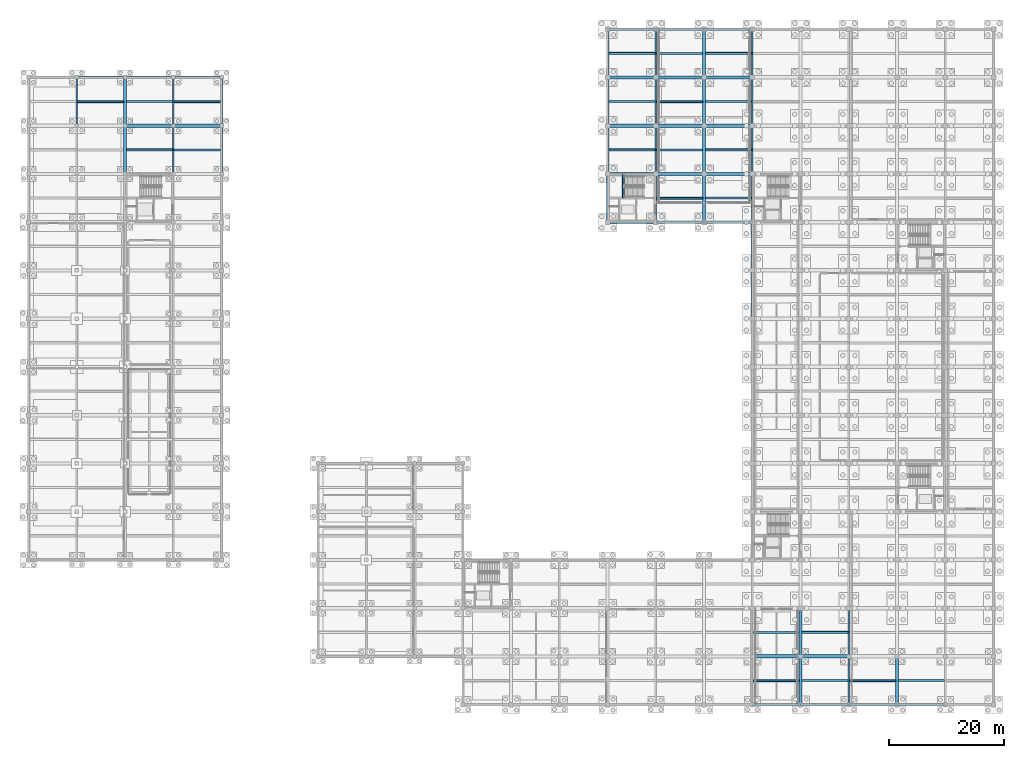
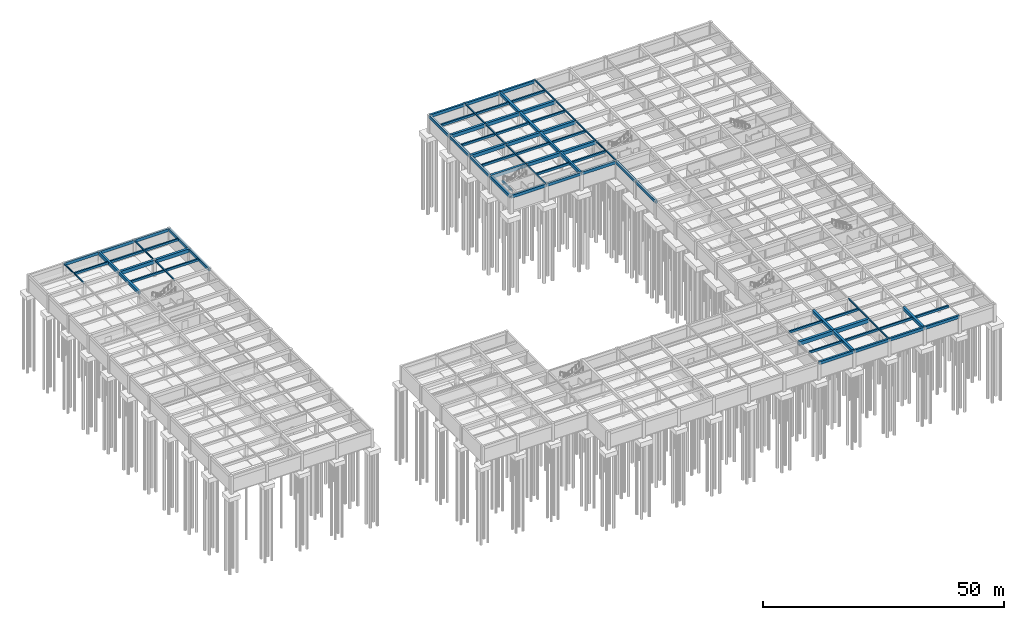
# One storey, part 11 of 33: 79 beams.
"""IFC4 building model written with IfcOpenShell, lengths in metres."""

from ifc_helpers import new_model, si_unit, direction, frame, origin, origin_2d, place, context, subcontext, project, spatial, rectangle, i_section, extrude, material, material_profile, profile_set, type_object, element, save


model = new_model("IFC4")

# Units and contexts
model_context = context("Model", 3, precision=1e-05, world=origin(), true_north=direction((0.0, 1.0)))
body_context = subcontext(model_context, "Body", "Model", "MODEL_VIEW")
ifc_project = project(units=[si_unit("LENGTHUNIT", "METRE"), si_unit("AREAUNIT", "SQUARE_METRE"), si_unit("VOLUMEUNIT", "CUBIC_METRE"), si_unit("PLANEANGLEUNIT", "RADIAN"), si_unit("MASSUNIT", "GRAM", prefix="KILO")], contexts=[model_context])

# Site, building, storey
site_placement = place(None, origin())
site = spatial("IfcSite", under=ifc_project, at=site_placement, CompositionType="ELEMENT")
building_placement = place(site_placement, origin())
building = spatial("IfcBuilding", under=site, at=building_placement, Name="Kveldsbrygga Polytechnic", CompositionType="ELEMENT")
storey_placement = place(building_placement, frame((0.0, 0.0, -4.419921875)))
storey = spatial("IfcBuildingStorey", under=building, at=storey_placement, Name="B1", CompositionType="ELEMENT", Elevation=-4.419921875)

# Beams
ifc_material_1 = material(Name="Concrete C35/45", Category="concrete")
ifc_material_profile_1 = material_profile(ifc_material_1, rectangle(XDim=0.449951171875, YDim=0.75, at=origin_2d()), Name="RC 450x750")
ifc_profile_set_1 = profile_set([ifc_material_profile_1], Name="Concrete C35/45")
beam_type_1 = type_object("IfcBeamType", Name="BM-RC-450x750", PredefinedType="BEAM", material=ifc_profile_set_1)
beam_1_placement = place(storey_placement, frame((8.39990234375, 109.199951171875, 3.704833984375), z_axis=(1.0, 0.0, 0.0), x_axis=(0.0, 1.0, 0.0)))
element("IfcBeam", 1, at=beam_1_placement, inside=storey, type_object=beam_type_1, Name="Primary Beam BMX-B1-01to02-13", PredefinedType="BEAM", context=body_context, shape_type="SweptSolid", body=[
    extrude(rectangle(XDim=0.449951171875, YDim=0.75, at=origin_2d()), origin(), (0.0, 0.0, 1.0), 8.400146484375),
])
beam_2_placement = place(storey_placement, frame((16.800048828125, 109.199951171875, 3.704833984375), z_axis=(1.0, 0.0, 0.0), x_axis=(0.0, 1.0, 0.0)))
element("IfcBeam", 2, at=beam_2_placement, inside=storey, type_object=beam_type_1, Name="Primary Beam BMX-B1-02to03-13", PredefinedType="BEAM", context=body_context, shape_type="SweptSolid", body=[
    extrude(rectangle(XDim=0.449951171875, YDim=0.75, at=origin_2d()), origin(), (0.0, 0.0, 1.0), 8.39990234375),
])
for number, where, z_axis, x_axis, name in (
    (3, (25.199951171875, 109.199951171875, 3.704833984375), (1.0, 0.0, 0.0), (0.0, 1.0, 0.0), "Primary Beam BMX-B1-03to04-13"),
    (4, (33.60009765625, 92.39990234375, 3.704833984375), (0.0, 1.0, 0.0), (-1.0, 0.0, 0.0), "Primary Beam BMY-B1-04-11to12"),
):
    element("IfcBeam", number, at=place(storey_placement, frame(where, z_axis=z_axis, x_axis=x_axis)), inside=storey, type_object=beam_type_1, Name=name, PredefinedType="BEAM", context=body_context, shape_type="SweptSolid", body=[
        extrude(rectangle(XDim=0.449951171875, YDim=0.75, at=origin_2d()), origin(), (0.0, 0.0, 1.0), 8.400146484375),
    ])
for number, where, z_axis, x_axis, name in (
    (5, (33.60009765625, 100.800048828125, 3.704833984375), (0.0, 1.0, 0.0), (-1.0, 0.0, 0.0), "Primary Beam BMY-B1-04-12to13"),
    (6, (100.800048828125, 84.0, 3.724853515625), (0.0, 1.0, 0.0), (-1.0, 0.0, 0.0), "Primary Beam BMY-B1-12-10to11"),
):
    element("IfcBeam", number, at=place(storey_placement, frame(where, z_axis=z_axis, x_axis=x_axis)), inside=storey, type_object=beam_type_1, Name=name, PredefinedType="BEAM", context=body_context, shape_type="SweptSolid", body=[
        extrude(rectangle(XDim=0.449951171875, YDim=0.75, at=origin_2d()), origin(), (0.0, 0.0, 1.0), 8.39990234375),
    ])
beam_3_placement = place(storey_placement, frame((100.800048828125, 92.39990234375, 3.724853515625), z_axis=(0.0, 1.0, 0.0), x_axis=(-1.0, 0.0, 0.0)))
element("IfcBeam", 7, at=beam_3_placement, inside=storey, type_object=beam_type_1, Name="Primary Beam BMY-B1-12-11to12", PredefinedType="BEAM", context=body_context, shape_type="SweptSolid", body=[
    extrude(rectangle(XDim=0.449951171875, YDim=0.75, at=origin_2d()), origin(), (0.0, 0.0, 1.0), 8.400146484375),
])
beam_4_placement = place(storey_placement, frame((100.800048828125, 100.800048828125, 3.724853515625), z_axis=(0.0, 1.0, 0.0), x_axis=(-1.0, 0.0, 0.0)))
element("IfcBeam", 8, at=beam_4_placement, inside=storey, type_object=beam_type_1, Name="Primary Beam BMY-B1-12-12to13", PredefinedType="BEAM", context=body_context, shape_type="SweptSolid", body=[
    extrude(rectangle(XDim=0.449951171875, YDim=0.75, at=origin_2d()), origin(), (0.0, 0.0, 1.0), 8.39990234375),
])
for number, where, z_axis, x_axis, name in (
    (9, (100.800048828125, 109.199951171875, 3.724853515625), (0.0, 1.0, 0.0), (-1.0, 0.0, 0.0), "Primary Beam BMY-B1-12-13to14"),
    (10, (126.0, 67.199951171875, 3.724853515625), (0.0, 1.0, 0.0), (-1.0, 0.0, 0.0), "Primary Beam BMY-B1-15-08to09"),
):
    element("IfcBeam", number, at=place(storey_placement, frame(where, z_axis=z_axis, x_axis=x_axis)), inside=storey, type_object=beam_type_1, Name=name, PredefinedType="BEAM", context=body_context, shape_type="SweptSolid", body=[
        extrude(rectangle(XDim=0.449951171875, YDim=0.75, at=origin_2d()), origin(), (0.0, 0.0, 1.0), 8.400146484375),
    ])
beam_5_placement = place(storey_placement, frame((126.0, 75.60009765625, 3.724853515625), z_axis=(0.0, 1.0, 0.0), x_axis=(-1.0, 0.0, 0.0)))
element("IfcBeam", 11, at=beam_5_placement, inside=storey, type_object=beam_type_1, Name="Primary Beam BMY-B1-15-09to10", PredefinedType="BEAM", context=body_context, shape_type="SweptSolid", body=[
    extrude(rectangle(XDim=0.449951171875, YDim=0.75, at=origin_2d()), origin(), (0.0, 0.0, 1.0), 8.39990234375),
])
ifc_material_profile_2 = material_profile(ifc_material_1, rectangle(XDim=0.4599609375, YDim=0.739990234375, at=origin_2d()), Name="RC 460x740")
ifc_profile_set_2 = profile_set([ifc_material_profile_2], Name="Concrete C35/45")
beam_type_2 = type_object("IfcBeamType", Name="BM-RC-460x740", PredefinedType="BEAM", material=ifc_profile_set_2)
beam_6_placement = place(storey_placement, frame((126.0, 0.0, 3.75), z_axis=(1.0, 0.0, 0.0), x_axis=(0.0, 1.0, 0.0)))
element("IfcBeam", 12, at=beam_6_placement, inside=storey, type_object=beam_type_2, Name="Primary Beam BMX-B1-15to16-00", PredefinedType="BEAM", context=body_context, shape_type="SweptSolid", body=[
    extrude(rectangle(XDim=0.4599609375, YDim=0.739990234375, at=origin_2d()), origin(), (0.0, 0.0, 1.0), 8.39990234375),
])
beam_7_placement = place(storey_placement, frame((134.39990234375, 0.0, 3.75), z_axis=(1.0, 0.0, 0.0), x_axis=(0.0, 1.0, 0.0)))
element("IfcBeam", 13, at=beam_7_placement, inside=storey, type_object=beam_type_2, Name="Primary Beam BMX-B1-16to17-00", PredefinedType="BEAM", context=body_context, shape_type="SweptSolid", body=[
    extrude(rectangle(XDim=0.4599609375, YDim=0.739990234375, at=origin_2d()), origin(), (0.0, 0.0, 1.0), 8.400146484375),
])
beam_8_placement = place(storey_placement, frame((142.800048828125, 0.0, 3.75), z_axis=(1.0, 0.0, 0.0), x_axis=(0.0, 1.0, 0.0)))
element("IfcBeam", 14, at=beam_8_placement, inside=storey, type_object=beam_type_2, Name="Primary Beam BMX-B1-17to18-00", PredefinedType="BEAM", context=body_context, shape_type="SweptSolid", body=[
    extrude(rectangle(XDim=0.4599609375, YDim=0.739990234375, at=origin_2d()), origin(), (0.0, 0.0, 1.0), 8.39990234375),
])
beam_9_placement = place(storey_placement, frame((151.199951171875, 0.0, 3.75), z_axis=(1.0, 0.0, 0.0), x_axis=(0.0, 1.0, 0.0)))
element("IfcBeam", 15, at=beam_9_placement, inside=storey, type_object=beam_type_2, Name="Primary Beam BMX-B1-18to19-00", PredefinedType="BEAM", context=body_context, shape_type="SweptSolid", body=[
    extrude(rectangle(XDim=0.4599609375, YDim=0.739990234375, at=origin_2d()), origin(), (0.0, 0.0, 1.0), 8.400146484375),
])
beam_10_placement = place(storey_placement, frame((100.800048828125, 84.0, 3.72998046875), z_axis=(1.0, 0.0, 0.0), x_axis=(0.0, 1.0, 0.0)))
element("IfcBeam", 16, at=beam_10_placement, inside=storey, type_object=beam_type_2, Name="Primary Beam BMX-B1-12to13-10", PredefinedType="BEAM", context=body_context, shape_type="SweptSolid", body=[
    extrude(rectangle(XDim=0.4599609375, YDim=0.739990234375, at=origin_2d()), origin(), (0.0, 0.0, 1.0), 8.39990234375),
])
beam_11_placement = place(storey_placement, frame((109.199951171875, 84.0, 3.72998046875), z_axis=(1.0, 0.0, 0.0), x_axis=(0.0, 1.0, 0.0)))
element("IfcBeam", 17, at=beam_11_placement, inside=storey, type_object=beam_type_2, Name="Primary Beam BMX-B1-13to14-10", PredefinedType="BEAM", context=body_context, shape_type="SweptSolid", body=[
    extrude(rectangle(XDim=0.4599609375, YDim=0.739990234375, at=origin_2d()), origin(), (0.0, 0.0, 1.0), 8.400146484375),
])
for number, where, z_axis, x_axis, name in (
    (18, (117.60009765625, 84.0, 3.72998046875), (1.0, 0.0, 0.0), (0.0, 1.0, 0.0), "Primary Beam BMX-B1-14to15-10"),
    (19, (100.800048828125, 117.60009765625, 3.75), (1.0, 0.0, 0.0), (0.0, 1.0, 0.0), "Primary Beam BMX-B1-12to13-14"),
):
    element("IfcBeam", number, at=place(storey_placement, frame(where, z_axis=z_axis, x_axis=x_axis)), inside=storey, type_object=beam_type_2, Name=name, PredefinedType="BEAM", context=body_context, shape_type="SweptSolid", body=[
        extrude(rectangle(XDim=0.4599609375, YDim=0.739990234375, at=origin_2d()), origin(), (0.0, 0.0, 1.0), 8.39990234375),
    ])
beam_12_placement = place(storey_placement, frame((109.199951171875, 117.60009765625, 3.75), z_axis=(1.0, 0.0, 0.0), x_axis=(0.0, 1.0, 0.0)))
element("IfcBeam", 20, at=beam_12_placement, inside=storey, type_object=beam_type_2, Name="Primary Beam BMX-B1-13to14-14", PredefinedType="BEAM", context=body_context, shape_type="SweptSolid", body=[
    extrude(rectangle(XDim=0.4599609375, YDim=0.739990234375, at=origin_2d()), origin(), (0.0, 0.0, 1.0), 8.400146484375),
])
beam_13_placement = place(storey_placement, frame((117.60009765625, 117.60009765625, 3.75), z_axis=(1.0, 0.0, 0.0), x_axis=(0.0, 1.0, 0.0)))
element("IfcBeam", 21, at=beam_13_placement, inside=storey, type_object=beam_type_2, Name="Primary Beam BMX-B1-14to15-14", PredefinedType="BEAM", context=body_context, shape_type="SweptSolid", body=[
    extrude(rectangle(XDim=0.4599609375, YDim=0.739990234375, at=origin_2d()), origin(), (0.0, 0.0, 1.0), 8.39990234375),
])
ifc_material_profile_3 = material_profile(ifc_material_1, rectangle(XDim=0.5, YDim=0.800048828125, at=origin_2d()), Name="RC 500x800")
ifc_profile_set_3 = profile_set([ifc_material_profile_3], Name="Concrete C35/45")
beam_type_3 = type_object("IfcBeamType", Name="BM-RC-500x800", PredefinedType="BEAM", material=ifc_profile_set_3)
beam_14_placement = place(storey_placement, frame((16.800048828125, 92.39990234375, 3.679931640625), z_axis=(0.0, 1.0, 0.0), x_axis=(-1.0, 0.0, 0.0)))
element("IfcBeam", 22, at=beam_14_placement, inside=storey, type_object=beam_type_3, Name="Primary Beam BMY-B1-02-11to12", PredefinedType="BEAM", context=body_context, shape_type="SweptSolid", body=[
    extrude(rectangle(XDim=0.5, YDim=0.800048828125, at=origin_2d()), origin(), (0.0, 0.0, 1.0), 8.400146484375),
])
for number, where, z_axis, x_axis, name in (
    (23, (16.800048828125, 100.800048828125, 3.679931640625), (0.0, 1.0, 0.0), (-1.0, 0.0, 0.0), "Primary Beam BMY-B1-02-12to13"),
    (24, (117.60009765625, 84.0, 3.719970703125), (0.0, 1.0, 0.0), (-1.0, 0.0, 0.0), "Primary Beam BMY-B1-14-10to11"),
):
    element("IfcBeam", number, at=place(storey_placement, frame(where, z_axis=z_axis, x_axis=x_axis)), inside=storey, type_object=beam_type_3, Name=name, PredefinedType="BEAM", context=body_context, shape_type="SweptSolid", body=[
        extrude(rectangle(XDim=0.5, YDim=0.800048828125, at=origin_2d()), origin(), (0.0, 0.0, 1.0), 8.39990234375),
    ])
beam_15_placement = place(storey_placement, frame((117.60009765625, 92.39990234375, 3.719970703125), z_axis=(0.0, 1.0, 0.0), x_axis=(-1.0, 0.0, 0.0)))
element("IfcBeam", 25, at=beam_15_placement, inside=storey, type_object=beam_type_3, Name="Primary Beam BMY-B1-14-11to12", PredefinedType="BEAM", context=body_context, shape_type="SweptSolid", body=[
    extrude(rectangle(XDim=0.5, YDim=0.800048828125, at=origin_2d()), origin(), (0.0, 0.0, 1.0), 8.400146484375),
])
beam_16_placement = place(storey_placement, frame((117.60009765625, 100.800048828125, 3.719970703125), z_axis=(0.0, 1.0, 0.0), x_axis=(-1.0, 0.0, 0.0)))
element("IfcBeam", 26, at=beam_16_placement, inside=storey, type_object=beam_type_3, Name="Primary Beam BMY-B1-14-12to13", PredefinedType="BEAM", context=body_context, shape_type="SweptSolid", body=[
    extrude(rectangle(XDim=0.5, YDim=0.800048828125, at=origin_2d()), origin(), (0.0, 0.0, 1.0), 8.39990234375),
])
beam_17_placement = place(storey_placement, frame((117.60009765625, 109.199951171875, 3.719970703125), z_axis=(0.0, 1.0, 0.0), x_axis=(-1.0, 0.0, 0.0)))
element("IfcBeam", 27, at=beam_17_placement, inside=storey, type_object=beam_type_3, Name="Primary Beam BMY-B1-14-13to14", PredefinedType="BEAM", context=body_context, shape_type="SweptSolid", body=[
    extrude(rectangle(XDim=0.5, YDim=0.800048828125, at=origin_2d()), origin(), (0.0, 0.0, 1.0), 8.400146484375),
])
beam_18_placement = place(storey_placement, frame((134.39990234375, 0.0, 3.719970703125), z_axis=(0.0, 1.0, 0.0), x_axis=(-1.0, 0.0, 0.0)))
element("IfcBeam", 28, at=beam_18_placement, inside=storey, type_object=beam_type_3, Name="Primary Beam BMY-B1-16-00to01", PredefinedType="BEAM", context=body_context, shape_type="SweptSolid", body=[
    extrude(rectangle(XDim=0.5, YDim=0.800048828125, at=origin_2d()), origin(), (0.0, 0.0, 1.0), 8.39990234375),
])
beam_19_placement = place(storey_placement, frame((134.39990234375, 8.39990234375, 3.719970703125), z_axis=(0.0, 1.0, 0.0), x_axis=(-1.0, 0.0, 0.0)))
element("IfcBeam", 29, at=beam_19_placement, inside=storey, type_object=beam_type_3, Name="Primary Beam BMY-B1-16-01to02", PredefinedType="BEAM", context=body_context, shape_type="SweptSolid", body=[
    extrude(rectangle(XDim=0.5, YDim=0.800048828125, at=origin_2d()), origin(), (0.0, 0.0, 1.0), 8.400146484375),
])
beam_20_placement = place(storey_placement, frame((151.199951171875, 0.0, 3.719970703125), z_axis=(0.0, 1.0, 0.0), x_axis=(-1.0, 0.0, 0.0)))
element("IfcBeam", 30, at=beam_20_placement, inside=storey, type_object=beam_type_3, Name="Primary Beam BMY-B1-18-00to01", PredefinedType="BEAM", context=body_context, shape_type="SweptSolid", body=[
    extrude(rectangle(XDim=0.5, YDim=0.800048828125, at=origin_2d()), origin(), (0.0, 0.0, 1.0), 8.39990234375),
])
ifc_material_2 = material(Name="Concrete C45/55", Category="concrete")
ifc_material_profile_4 = material_profile(ifc_material_2, rectangle(XDim=0.550048828125, YDim=0.8798828125, at=origin_2d()), Name="RC 550x880")
ifc_profile_set_4 = profile_set([ifc_material_profile_4], Name="Concrete C45/55")
beam_type_4 = type_object("IfcBeamType", Name="BM-RC-550x880", PredefinedType="BEAM", material=ifc_profile_set_4)
beam_21_placement = place(storey_placement, frame((100.800048828125, 92.39990234375, 3.679931640625), z_axis=(1.0, 0.0, 0.0), x_axis=(0.0, 1.0, 0.0)))
element("IfcBeam", 31, at=beam_21_placement, inside=storey, type_object=beam_type_4, Name="Primary Beam BMX-B1-12to13-11", PredefinedType="BEAM", context=body_context, shape_type="SweptSolid", body=[
    extrude(rectangle(XDim=0.550048828125, YDim=0.8798828125, at=origin_2d()), origin(), (0.0, 0.0, 1.0), 8.39990234375),
])
beam_22_placement = place(storey_placement, frame((109.199951171875, 92.39990234375, 3.679931640625), z_axis=(1.0, 0.0, 0.0), x_axis=(0.0, 1.0, 0.0)))
element("IfcBeam", 32, at=beam_22_placement, inside=storey, type_object=beam_type_4, Name="Primary Beam BMX-B1-13to14-11", PredefinedType="BEAM", context=body_context, shape_type="SweptSolid", body=[
    extrude(rectangle(XDim=0.550048828125, YDim=0.8798828125, at=origin_2d()), origin(), (0.0, 0.0, 1.0), 8.400146484375),
])
for number, where, z_axis, x_axis, name in (
    (33, (117.60009765625, 92.39990234375, 3.679931640625), (1.0, 0.0, 0.0), (0.0, 1.0, 0.0), "Primary Beam BMX-B1-14to15-11"),
    (34, (16.800048828125, 100.800048828125, 3.639892578125), (1.0, 0.0, 0.0), (0.0, 1.0, 0.0), "Primary Beam BMX-B1-02to03-12"),
):
    element("IfcBeam", number, at=place(storey_placement, frame(where, z_axis=z_axis, x_axis=x_axis)), inside=storey, type_object=beam_type_4, Name=name, PredefinedType="BEAM", context=body_context, shape_type="SweptSolid", body=[
        extrude(rectangle(XDim=0.550048828125, YDim=0.8798828125, at=origin_2d()), origin(), (0.0, 0.0, 1.0), 8.39990234375),
    ])
beam_23_placement = place(storey_placement, frame((25.199951171875, 100.800048828125, 3.639892578125), z_axis=(1.0, 0.0, 0.0), x_axis=(0.0, 1.0, 0.0)))
element("IfcBeam", 35, at=beam_23_placement, inside=storey, type_object=beam_type_4, Name="Primary Beam BMX-B1-03to04-12", PredefinedType="BEAM", context=body_context, shape_type="SweptSolid", body=[
    extrude(rectangle(XDim=0.550048828125, YDim=0.8798828125, at=origin_2d()), origin(), (0.0, 0.0, 1.0), 8.400146484375),
])
beam_24_placement = place(storey_placement, frame((100.800048828125, 100.800048828125, 3.679931640625), z_axis=(1.0, 0.0, 0.0), x_axis=(0.0, 1.0, 0.0)))
element("IfcBeam", 36, at=beam_24_placement, inside=storey, type_object=beam_type_4, Name="Primary Beam BMX-B1-12to13-12", PredefinedType="BEAM", context=body_context, shape_type="SweptSolid", body=[
    extrude(rectangle(XDim=0.550048828125, YDim=0.8798828125, at=origin_2d()), origin(), (0.0, 0.0, 1.0), 8.39990234375),
])
beam_25_placement = place(storey_placement, frame((109.199951171875, 100.800048828125, 3.679931640625), z_axis=(1.0, 0.0, 0.0), x_axis=(0.0, 1.0, 0.0)))
element("IfcBeam", 37, at=beam_25_placement, inside=storey, type_object=beam_type_4, Name="Primary Beam BMX-B1-13to14-12", PredefinedType="BEAM", context=body_context, shape_type="SweptSolid", body=[
    extrude(rectangle(XDim=0.550048828125, YDim=0.8798828125, at=origin_2d()), origin(), (0.0, 0.0, 1.0), 8.400146484375),
])
for number, where, z_axis, x_axis, name in (
    (38, (117.60009765625, 100.800048828125, 3.679931640625), (1.0, 0.0, 0.0), (0.0, 1.0, 0.0), "Primary Beam BMX-B1-14to15-12"),
    (39, (100.800048828125, 109.199951171875, 3.679931640625), (1.0, 0.0, 0.0), (0.0, 1.0, 0.0), "Primary Beam BMX-B1-12to13-13"),
):
    element("IfcBeam", number, at=place(storey_placement, frame(where, z_axis=z_axis, x_axis=x_axis)), inside=storey, type_object=beam_type_4, Name=name, PredefinedType="BEAM", context=body_context, shape_type="SweptSolid", body=[
        extrude(rectangle(XDim=0.550048828125, YDim=0.8798828125, at=origin_2d()), origin(), (0.0, 0.0, 1.0), 8.39990234375),
    ])
beam_26_placement = place(storey_placement, frame((109.199951171875, 109.199951171875, 3.679931640625), z_axis=(1.0, 0.0, 0.0), x_axis=(0.0, 1.0, 0.0)))
element("IfcBeam", 40, at=beam_26_placement, inside=storey, type_object=beam_type_4, Name="Primary Beam BMX-B1-13to14-13", PredefinedType="BEAM", context=body_context, shape_type="SweptSolid", body=[
    extrude(rectangle(XDim=0.550048828125, YDim=0.8798828125, at=origin_2d()), origin(), (0.0, 0.0, 1.0), 8.400146484375),
])
beam_27_placement = place(storey_placement, frame((117.60009765625, 109.199951171875, 3.679931640625), z_axis=(1.0, 0.0, 0.0), x_axis=(0.0, 1.0, 0.0)))
element("IfcBeam", 41, at=beam_27_placement, inside=storey, type_object=beam_type_4, Name="Primary Beam BMX-B1-14to15-13", PredefinedType="BEAM", context=body_context, shape_type="SweptSolid", body=[
    extrude(rectangle(XDim=0.550048828125, YDim=0.8798828125, at=origin_2d()), origin(), (0.0, 0.0, 1.0), 8.39990234375),
])
ifc_material_profile_5 = material_profile(ifc_material_2, rectangle(XDim=0.60009765625, YDim=0.949951171875, at=origin_2d()), Name="RC 600x950")
ifc_profile_set_5 = profile_set([ifc_material_profile_5], Name="Concrete C45/55")
beam_type_5 = type_object("IfcBeamType", Name="BM-RC-600x950", PredefinedType="BEAM", material=ifc_profile_set_5)
beam_28_placement = place(storey_placement, frame((126.0, 8.39990234375, 3.64501953125), z_axis=(1.0, 0.0, 0.0), x_axis=(0.0, 1.0, 0.0)))
element("IfcBeam", 42, at=beam_28_placement, inside=storey, type_object=beam_type_5, Name="Primary Beam BMX-B1-15to16-01", PredefinedType="BEAM", context=body_context, shape_type="SweptSolid", body=[
    extrude(rectangle(XDim=0.60009765625, YDim=0.949951171875, at=origin_2d()), origin(), (0.0, 0.0, 1.0), 8.39990234375),
])
beam_29_placement = place(storey_placement, frame((134.39990234375, 8.39990234375, 3.64501953125), z_axis=(1.0, 0.0, 0.0), x_axis=(0.0, 1.0, 0.0)))
element("IfcBeam", 43, at=beam_29_placement, inside=storey, type_object=beam_type_5, Name="Primary Beam BMX-B1-16to17-01", PredefinedType="BEAM", context=body_context, shape_type="SweptSolid", body=[
    extrude(rectangle(XDim=0.60009765625, YDim=0.949951171875, at=origin_2d()), origin(), (0.0, 0.0, 1.0), 8.400146484375),
])
ifc_material_3 = material(Name="Steel S355", Category="steel")
ifc_material_profile_6 = material_profile(ifc_material_3, i_section(OverallWidth=0.260009765625, OverallDepth=0.260009765625, WebThickness=0.010009765625, FlangeThickness=0.017578125, FilletRadius=0.02392578125, at=origin_2d()), Name="HEB 260")
ifc_profile_set_6 = profile_set([ifc_material_profile_6], Name="Steel S355")
beam_type_6 = type_object("IfcBeamType", Name="BM-STL-HEB260", PredefinedType="BEAM", material=ifc_profile_set_6)
beam_30_placement = place(storey_placement, frame((8.39990234375, 100.800048828125, 3.949951171875), z_axis=(0.0, 1.0, 0.0), x_axis=(-1.0, 0.0, 0.0)))
element("IfcBeam", 44, at=beam_30_placement, inside=storey, type_object=beam_type_6, Name="Primary Beam BMY-B1-01-12to13", PredefinedType="BEAM", context=body_context, shape_type="SweptSolid", body=[
    extrude(i_section(OverallWidth=0.260009765625, OverallDepth=0.260009765625, WebThickness=0.010009765625, FlangeThickness=0.017578125, FilletRadius=0.02392578125, at=origin_2d()), origin(), (0.0, 0.0, 1.0), 8.39990234375),
])
beam_31_placement = place(storey_placement, frame((25.199951171875, 92.39990234375, 3.949951171875), z_axis=(0.0, 1.0, 0.0), x_axis=(-1.0, 0.0, 0.0)))
element("IfcBeam", 45, at=beam_31_placement, inside=storey, type_object=beam_type_6, Name="Primary Beam BMY-B1-03-11to12", PredefinedType="BEAM", context=body_context, shape_type="SweptSolid", body=[
    extrude(i_section(OverallWidth=0.260009765625, OverallDepth=0.260009765625, WebThickness=0.010009765625, FlangeThickness=0.017578125, FilletRadius=0.02392578125, at=origin_2d()), origin(), (0.0, 0.0, 1.0), 8.400146484375),
])
for number, where, z_axis, x_axis, name in (
    (46, (25.199951171875, 100.800048828125, 3.949951171875), (0.0, 1.0, 0.0), (-1.0, 0.0, 0.0), "Primary Beam BMY-B1-03-12to13"),
    (47, (109.199951171875, 84.0, 3.989990234375), (0.0, 1.0, 0.0), (-1.0, 0.0, 0.0), "Primary Beam BMY-B1-13-10to11"),
):
    element("IfcBeam", number, at=place(storey_placement, frame(where, z_axis=z_axis, x_axis=x_axis)), inside=storey, type_object=beam_type_6, Name=name, PredefinedType="BEAM", context=body_context, shape_type="SweptSolid", body=[
        extrude(i_section(OverallWidth=0.260009765625, OverallDepth=0.260009765625, WebThickness=0.010009765625, FlangeThickness=0.017578125, FilletRadius=0.02392578125, at=origin_2d()), origin(), (0.0, 0.0, 1.0), 8.39990234375),
    ])
beam_32_placement = place(storey_placement, frame((109.199951171875, 92.39990234375, 3.989990234375), z_axis=(0.0, 1.0, 0.0), x_axis=(-1.0, 0.0, 0.0)))
element("IfcBeam", 48, at=beam_32_placement, inside=storey, type_object=beam_type_6, Name="Primary Beam BMY-B1-13-11to12", PredefinedType="BEAM", context=body_context, shape_type="SweptSolid", body=[
    extrude(i_section(OverallWidth=0.260009765625, OverallDepth=0.260009765625, WebThickness=0.010009765625, FlangeThickness=0.017578125, FilletRadius=0.02392578125, at=origin_2d()), origin(), (0.0, 0.0, 1.0), 8.400146484375),
])
beam_33_placement = place(storey_placement, frame((109.199951171875, 100.800048828125, 3.989990234375), z_axis=(0.0, 1.0, 0.0), x_axis=(-1.0, 0.0, 0.0)))
element("IfcBeam", 49, at=beam_33_placement, inside=storey, type_object=beam_type_6, Name="Primary Beam BMY-B1-13-12to13", PredefinedType="BEAM", context=body_context, shape_type="SweptSolid", body=[
    extrude(i_section(OverallWidth=0.260009765625, OverallDepth=0.260009765625, WebThickness=0.010009765625, FlangeThickness=0.017578125, FilletRadius=0.02392578125, at=origin_2d()), origin(), (0.0, 0.0, 1.0), 8.39990234375),
])
beam_34_placement = place(storey_placement, frame((109.199951171875, 109.199951171875, 3.989990234375), z_axis=(0.0, 1.0, 0.0), x_axis=(-1.0, 0.0, 0.0)))
element("IfcBeam", 50, at=beam_34_placement, inside=storey, type_object=beam_type_6, Name="Primary Beam BMY-B1-13-13to14", PredefinedType="BEAM", context=body_context, shape_type="SweptSolid", body=[
    extrude(i_section(OverallWidth=0.260009765625, OverallDepth=0.260009765625, WebThickness=0.010009765625, FlangeThickness=0.017578125, FilletRadius=0.02392578125, at=origin_2d()), origin(), (0.0, 0.0, 1.0), 8.400146484375),
])
beam_35_placement = place(storey_placement, frame((126.0, 84.0, 3.989990234375), z_axis=(0.0, 1.0, 0.0), x_axis=(-1.0, 0.0, 0.0)))
element("IfcBeam", 51, at=beam_35_placement, inside=storey, type_object=beam_type_6, Name="Primary Beam BMY-B1-15-10to11", PredefinedType="BEAM", context=body_context, shape_type="SweptSolid", body=[
    extrude(i_section(OverallWidth=0.260009765625, OverallDepth=0.260009765625, WebThickness=0.010009765625, FlangeThickness=0.017578125, FilletRadius=0.02392578125, at=origin_2d()), origin(), (0.0, 0.0, 1.0), 8.39990234375),
])
beam_36_placement = place(storey_placement, frame((126.0, 92.39990234375, 3.989990234375), z_axis=(0.0, 1.0, 0.0), x_axis=(-1.0, 0.0, 0.0)))
element("IfcBeam", 52, at=beam_36_placement, inside=storey, type_object=beam_type_6, Name="Primary Beam BMY-B1-15-11to12", PredefinedType="BEAM", context=body_context, shape_type="SweptSolid", body=[
    extrude(i_section(OverallWidth=0.260009765625, OverallDepth=0.260009765625, WebThickness=0.010009765625, FlangeThickness=0.017578125, FilletRadius=0.02392578125, at=origin_2d()), origin(), (0.0, 0.0, 1.0), 8.400146484375),
])
beam_37_placement = place(storey_placement, frame((126.0, 100.800048828125, 3.989990234375), z_axis=(0.0, 1.0, 0.0), x_axis=(-1.0, 0.0, 0.0)))
element("IfcBeam", 53, at=beam_37_placement, inside=storey, type_object=beam_type_6, Name="Primary Beam BMY-B1-15-12to13", PredefinedType="BEAM", context=body_context, shape_type="SweptSolid", body=[
    extrude(i_section(OverallWidth=0.260009765625, OverallDepth=0.260009765625, WebThickness=0.010009765625, FlangeThickness=0.017578125, FilletRadius=0.02392578125, at=origin_2d()), origin(), (0.0, 0.0, 1.0), 8.39990234375),
])
beam_38_placement = place(storey_placement, frame((126.0, 109.199951171875, 3.989990234375), z_axis=(0.0, 1.0, 0.0), x_axis=(-1.0, 0.0, 0.0)))
element("IfcBeam", 54, at=beam_38_placement, inside=storey, type_object=beam_type_6, Name="Primary Beam BMY-B1-15-13to14", PredefinedType="BEAM", context=body_context, shape_type="SweptSolid", body=[
    extrude(i_section(OverallWidth=0.260009765625, OverallDepth=0.260009765625, WebThickness=0.010009765625, FlangeThickness=0.017578125, FilletRadius=0.02392578125, at=origin_2d()), origin(), (0.0, 0.0, 1.0), 8.400146484375),
])
beam_39_placement = place(storey_placement, frame((142.800048828125, 0.0, 3.989990234375), z_axis=(0.0, 1.0, 0.0), x_axis=(-1.0, 0.0, 0.0)))
element("IfcBeam", 55, at=beam_39_placement, inside=storey, type_object=beam_type_6, Name="Primary Beam BMY-B1-17-00to01", PredefinedType="BEAM", context=body_context, shape_type="SweptSolid", body=[
    extrude(i_section(OverallWidth=0.260009765625, OverallDepth=0.260009765625, WebThickness=0.010009765625, FlangeThickness=0.017578125, FilletRadius=0.02392578125, at=origin_2d()), origin(), (0.0, 0.0, 1.0), 8.39990234375),
])
beam_40_placement = place(storey_placement, frame((142.800048828125, 8.39990234375, 3.989990234375), z_axis=(0.0, 1.0, 0.0), x_axis=(-1.0, 0.0, 0.0)))
element("IfcBeam", 56, at=beam_40_placement, inside=storey, type_object=beam_type_6, Name="Primary Beam BMY-B1-17-01to02", PredefinedType="BEAM", context=body_context, shape_type="SweptSolid", body=[
    extrude(i_section(OverallWidth=0.260009765625, OverallDepth=0.260009765625, WebThickness=0.010009765625, FlangeThickness=0.017578125, FilletRadius=0.02392578125, at=origin_2d()), origin(), (0.0, 0.0, 1.0), 8.400146484375),
])
ifc_material_profile_7 = material_profile(ifc_material_1, rectangle(XDim=0.340087890625, YDim=0.56005859375, at=origin_2d()), Name="RC 340x560")
ifc_profile_set_7 = profile_set([ifc_material_profile_7], Name="Concrete C35/45")
beam_type_7 = type_object("IfcBeamType", Name="JST-RC-340x560", PredefinedType="JOIST", material=ifc_profile_set_7)
for number, where, z_axis, x_axis, name in (
    (57, (8.530029296875, 105.0, 3.7998046875), (1.0, 0.0, 0.0), (0.0, 1.0, 0.0), "Secondary Joist JST-B1-01-12"),
    (58, (17.050048828125, 96.60009765625, 3.7998046875), (1.0, 0.0, 0.0), (0.0, 1.0, 0.0), "Secondary Joist JST-B1-02-11"),
):
    element("IfcBeam", number, at=place(storey_placement, frame(where, z_axis=z_axis, x_axis=x_axis)), inside=storey, type_object=beam_type_7, Name=name, PredefinedType="JOIST", context=body_context, shape_type="SweptSolid", body=[
        extrude(rectangle(XDim=0.340087890625, YDim=0.56005859375, at=origin_2d()), origin(), (0.0, 0.0, 1.0), 8.02001953125),
    ])
beam_41_placement = place(storey_placement, frame((25.330078125, 105.0, 3.7998046875), z_axis=(1.0, 0.0, 0.0), x_axis=(0.0, 1.0, 0.0)))
element("IfcBeam", 59, at=beam_41_placement, inside=storey, type_object=beam_type_7, Name="Secondary Joist JST-B1-03-12", PredefinedType="JOIST", context=body_context, shape_type="SweptSolid", body=[
    extrude(rectangle(XDim=0.340087890625, YDim=0.56005859375, at=origin_2d()), origin(), (0.0, 0.0, 1.0), 8.044921875),
])
for number, where, z_axis, x_axis, name in (
    (60, (101.02490234375, 96.60009765625, 3.83984375), (1.0, 0.0, 0.0), (0.0, 1.0, 0.0), "Secondary Joist JST-B1-12-11"),
    (61, (101.02490234375, 113.39990234375, 3.83984375), (1.0, 0.0, 0.0), (0.0, 1.0, 0.0), "Secondary Joist JST-B1-12-13"),
):
    element("IfcBeam", number, at=place(storey_placement, frame(where, z_axis=z_axis, x_axis=x_axis)), inside=storey, type_object=beam_type_7, Name=name, PredefinedType="JOIST", context=body_context, shape_type="SweptSolid", body=[
        extrude(rectangle(XDim=0.340087890625, YDim=0.56005859375, at=origin_2d()), origin(), (0.0, 0.0, 1.0), 8.045166015625),
    ])
for number, where, z_axis, x_axis, name in (
    (62, (109.330078125, 88.199951171875, 3.83984375), (1.0, 0.0, 0.0), (0.0, 1.0, 0.0), "Secondary Joist JST-B1-13-10"),
    (63, (109.330078125, 105.0, 3.83984375), (1.0, 0.0, 0.0), (0.0, 1.0, 0.0), "Secondary Joist JST-B1-13-12"),
    (64, (117.85009765625, 96.60009765625, 3.83984375), (1.0, 0.0, 0.0), (0.0, 1.0, 0.0), "Secondary Joist JST-B1-14-11"),
    (65, (117.85009765625, 113.39990234375, 3.83984375), (1.0, 0.0, 0.0), (0.0, 1.0, 0.0), "Secondary Joist JST-B1-14-13"),
    (66, (126.1298828125, 4.199951171875, 3.83984375), (1.0, 0.0, 0.0), (0.0, 1.0, 0.0), "Secondary Joist JST-B1-15-00"),
    (67, (134.64990234375, 12.60009765625, 3.83984375), (1.0, 0.0, 0.0), (0.0, 1.0, 0.0), "Secondary Joist JST-B1-16-01"),
    (68, (142.929931640625, 4.199951171875, 3.83984375), (1.0, 0.0, 0.0), (0.0, 1.0, 0.0), "Secondary Joist JST-B1-17-00"),
):
    element("IfcBeam", number, at=place(storey_placement, frame(where, z_axis=z_axis, x_axis=x_axis)), inside=storey, type_object=beam_type_7, Name=name, PredefinedType="JOIST", context=body_context, shape_type="SweptSolid", body=[
        extrude(rectangle(XDim=0.340087890625, YDim=0.56005859375, at=origin_2d()), origin(), (0.0, 0.0, 1.0), 8.02001953125),
    ])
ifc_material_profile_8 = material_profile(ifc_material_1, rectangle(XDim=0.35009765625, YDim=0.550048828125, at=origin_2d()), Name="RC 350x550")
ifc_profile_set_8 = profile_set([ifc_material_profile_8], Name="Concrete C35/45")
beam_type_8 = type_object("IfcBeamType", Name="JST-RC-350x550", PredefinedType="JOIST", material=ifc_profile_set_8)
beam_42_placement = place(storey_placement, frame((17.050048828125, 105.0, 3.804931640625), z_axis=(1.0, 0.0, 0.0), x_axis=(0.0, 1.0, 0.0)))
element("IfcBeam", 69, at=beam_42_placement, inside=storey, type_object=beam_type_8, Name="Secondary Joist JST-B1-02-12", PredefinedType="JOIST", context=body_context, shape_type="SweptSolid", body=[
    extrude(rectangle(XDim=0.35009765625, YDim=0.550048828125, at=origin_2d()), origin(), (0.0, 0.0, 1.0), 8.02001953125),
])
beam_43_placement = place(storey_placement, frame((25.330078125, 96.60009765625, 3.804931640625), z_axis=(1.0, 0.0, 0.0), x_axis=(0.0, 1.0, 0.0)))
element("IfcBeam", 70, at=beam_43_placement, inside=storey, type_object=beam_type_8, Name="Secondary Joist JST-B1-03-11", PredefinedType="JOIST", context=body_context, shape_type="SweptSolid", body=[
    extrude(rectangle(XDim=0.35009765625, YDim=0.550048828125, at=origin_2d()), origin(), (0.0, 0.0, 1.0), 8.044921875),
])
beam_44_placement = place(storey_placement, frame((101.02490234375, 105.0, 3.844970703125), z_axis=(1.0, 0.0, 0.0), x_axis=(0.0, 1.0, 0.0)))
element("IfcBeam", 71, at=beam_44_placement, inside=storey, type_object=beam_type_8, Name="Secondary Joist JST-B1-12-12", PredefinedType="JOIST", context=body_context, shape_type="SweptSolid", body=[
    extrude(rectangle(XDim=0.35009765625, YDim=0.550048828125, at=origin_2d()), origin(), (0.0, 0.0, 1.0), 8.045166015625),
])
for number, where, z_axis, x_axis, name in (
    (72, (109.330078125, 96.60009765625, 3.844970703125), (1.0, 0.0, 0.0), (0.0, 1.0, 0.0), "Secondary Joist JST-B1-13-11"),
    (73, (109.330078125, 113.39990234375, 3.844970703125), (1.0, 0.0, 0.0), (0.0, 1.0, 0.0), "Secondary Joist JST-B1-13-13"),
    (74, (117.85009765625, 88.199951171875, 3.844970703125), (1.0, 0.0, 0.0), (0.0, 1.0, 0.0), "Secondary Joist JST-B1-14-10"),
    (75, (117.85009765625, 105.0, 3.844970703125), (1.0, 0.0, 0.0), (0.0, 1.0, 0.0), "Secondary Joist JST-B1-14-12"),
    (76, (126.1298828125, 12.60009765625, 3.844970703125), (1.0, 0.0, 0.0), (0.0, 1.0, 0.0), "Secondary Joist JST-B1-15-01"),
    (77, (134.64990234375, 4.199951171875, 3.844970703125), (1.0, 0.0, 0.0), (0.0, 1.0, 0.0), "Secondary Joist JST-B1-16-00"),
    (78, (151.449951171875, 4.199951171875, 3.844970703125), (1.0, 0.0, 0.0), (0.0, 1.0, 0.0), "Secondary Joist JST-B1-18-00"),
):
    element("IfcBeam", number, at=place(storey_placement, frame(where, z_axis=z_axis, x_axis=x_axis)), inside=storey, type_object=beam_type_8, Name=name, PredefinedType="JOIST", context=body_context, shape_type="SweptSolid", body=[
        extrude(rectangle(XDim=0.35009765625, YDim=0.550048828125, at=origin_2d()), origin(), (0.0, 0.0, 1.0), 8.02001953125),
    ])
ifc_material_profile_9 = material_profile(ifc_material_1, rectangle(XDim=0.300048828125, YDim=0.5, at=origin_2d()), Name="RC 300x500")
ifc_profile_set_9 = profile_set([ifc_material_profile_9], Name="Concrete C35/45")
beam_type_9 = type_object("IfcBeamType", Name="LNT-RC-300x500", PredefinedType="LINTEL", material=ifc_profile_set_9)
beam_45_placement = place(storey_placement, frame((103.52001953125, 88.22998046875, 1.760009765625), z_axis=(0.0, 1.0, 0.0), x_axis=(-1.0, 0.0, 0.0)))
element("IfcBeam", 79, at=beam_45_placement, inside=storey, type_object=beam_type_9, Name="Stair Landing Support Beam C5-B1-LNDB-1-1", PredefinedType="LINTEL", context=body_context, shape_type="SweptSolid", body=[
    extrude(rectangle(XDim=0.300048828125, YDim=0.5, at=origin_2d()), origin(), (0.0, 0.0, 1.0), 4.02001953125),
])

save(model, "model.ifc")
